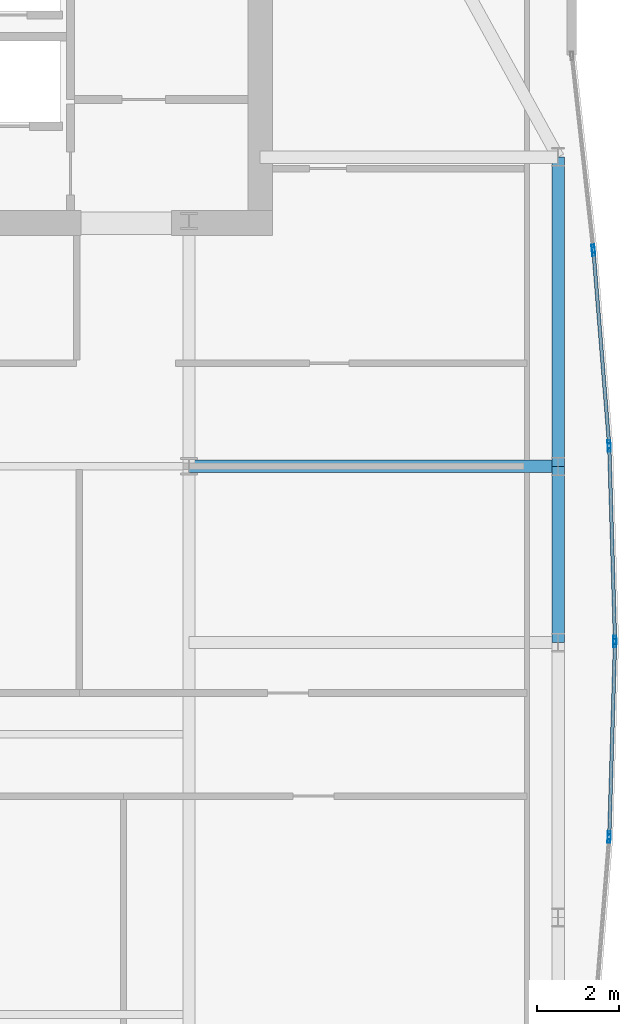
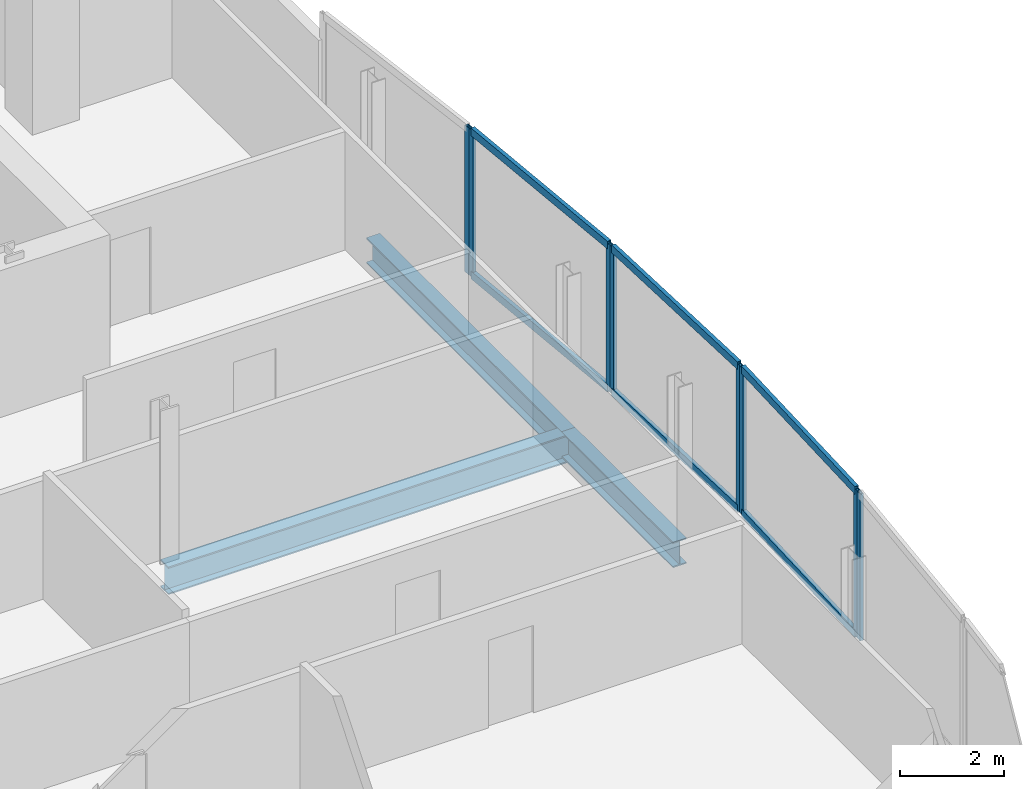
# One storey, part 18 of 29: 14 members, 3 beams, 5 elements without a shape of their own.
"""IFC4 building model written with IfcOpenShell, lengths in metres."""

from ifc_helpers import new_model, si_unit, direction, frame, origin, origin_2d, place, context, subcontext, project, spatial, hollow_rectangle, i_section, extrude, material, material_profile, profile_set, type_object, element, aggregate, save


model = new_model("IFC4")

# Units and contexts
model_context = context("Model", 3, precision=1e-05, world=origin(), true_north=direction((0.0, 1.0)))
body_context = subcontext(model_context, "Body", "Model", "MODEL_VIEW")
ifc_project = project(units=[si_unit("LENGTHUNIT", "METRE"), si_unit("AREAUNIT", "SQUARE_METRE"), si_unit("VOLUMEUNIT", "CUBIC_METRE"), si_unit("PLANEANGLEUNIT", "RADIAN"), si_unit("MASSUNIT", "GRAM", prefix="KILO")], contexts=[model_context])

# Site, building, storey
site_placement = place(None, origin())
site = spatial("IfcSite", under=ifc_project, at=site_placement, CompositionType="ELEMENT")
building_placement = place(site_placement, origin())
building = spatial("IfcBuilding", under=site, at=building_placement, Name="Khoronbel Lancet Exchange", CompositionType="ELEMENT")
storey_placement = place(building_placement, frame((0.0, 0.0, 242.60009765625)))
storey = spatial("IfcBuildingStorey", under=building, at=storey_placement, Name="L62", CompositionType="ELEMENT", Elevation=242.60009765625)

# Beams
ifc_material_1 = material(Name="Steel S355", Category="steel")
ifc_material_profile_1 = material_profile(ifc_material_1, i_section(OverallWidth=0.300048828125, OverallDepth=0.64990234375, WebThickness=0.01611328125, FlangeThickness=0.031005859375, at=origin_2d()), Name="HEB 650")
ifc_profile_set_1 = profile_set([ifc_material_profile_1], Name="Steel S355")
beam_type_1 = type_object("IfcBeamType", Name="BM-BG4", PredefinedType="BEAM", material=ifc_profile_set_1)
beam_1_placement = place(storey_placement, frame((54.675048828125, 35.699951171875, -0.485107421875), z_axis=(1.0, 0.0, 0.0), x_axis=(0.0, 1.0, 0.0)))
element("IfcBeam", 1, at=beam_1_placement, inside=storey, type_object=beam_type_1, Name="Level L62 east lens tie girder LG4E", PredefinedType="BEAM", context=body_context, shape_type="SweptSolid", body=[
    extrude(i_section(OverallWidth=0.300048828125, OverallDepth=0.64990234375, WebThickness=0.01611328125, FlangeThickness=0.031005859375, at=origin_2d()), origin(), (0.0, 0.0, 1.0), 8.954833984375),
])
ifc_material_profile_2 = material_profile(ifc_material_1, i_section(OverallWidth=0.300048828125, OverallDepth=0.60009765625, WebThickness=0.015380859375, FlangeThickness=0.030029296875, at=origin_2d()), Name="HEB 600")
ifc_profile_set_2 = profile_set([ifc_material_profile_2], Name="Steel S355")
beam_type_2 = type_object("IfcBeamType", Name="BM-BSP2", PredefinedType="SPANDREL", material=ifc_profile_set_2)
beam_2_placement = place(storey_placement, frame((63.6298828125, 31.425048828125, -0.460205078125), z_axis=(0.0, 1.0, 0.0), x_axis=(-1.0, 0.0, 0.0)))
element("IfcBeam", 2, at=beam_2_placement, inside=storey, type_object=beam_type_2, Name="Level L62 perimeter spandrel beam SP13", PredefinedType="SPANDREL", context=body_context, shape_type="SweptSolid", body=[
    extrude(i_section(OverallWidth=0.300048828125, OverallDepth=0.60009765625, WebThickness=0.015380859375, FlangeThickness=0.030029296875, at=origin_2d()), origin(), (0.0, 0.0, 1.0), 4.27490234375),
])
beam_3_placement = place(storey_placement, frame((63.6298828125, 35.699951171875, -0.460205078125), z_axis=(0.0, 1.0, 0.0), x_axis=(-1.0, 0.0, 0.0)))
element("IfcBeam", 3, at=beam_3_placement, inside=storey, type_object=beam_type_2, Name="Level L62 perimeter spandrel beam SP14", PredefinedType="SPANDREL", context=body_context, shape_type="SweptSolid", body=[
    extrude(i_section(OverallWidth=0.300048828125, OverallDepth=0.60009765625, WebThickness=0.015380859375, FlangeThickness=0.030029296875, at=origin_2d()), origin(), (0.0, 0.0, 1.0), 7.5),
])

# Curtain wall, member
ifc_material_2 = material(Name="Low-E Solar Control Insulating Glass", Category="glass")
curtain_wall_type = type_object("IfcCurtainWallType", Name="CW-4", PredefinedType="NOTDEFINED", material=ifc_material_2)
curtain_wall_1_placement = place(storey_placement, origin())
curtain_wall_1 = element("IfcCurtainWall", 4, at=curtain_wall_1_placement, inside=storey, type_object=curtain_wall_type, Name="Unitised curtain wall CW-L62-E17", PredefinedType="NOTDEFINED")
ifc_material_3 = material(Name="Bronze-Anodised Aluminium 6063-T6", Category="aluminium")
ifc_material_profile_3 = material_profile(ifc_material_3, hollow_rectangle(XDim=0.074951171875, YDim=0.199951171875, WallThickness=0.0048828125, at=origin_2d()), Name="ALU MULLION 75x200")
ifc_profile_set_3 = profile_set([ifc_material_profile_3], Name="Bronze-Anodised Aluminium 6063-T6")
member_type_1 = type_object("IfcMemberType", Name="MEM-CWM2", PredefinedType="MULLION", material=ifc_profile_set_3)
member_1_placement = place(storey_placement, frame((64.481201171875, 40.978759765625, 0.0), z_axis=(0.0, 0.0, 1.0), x_axis=(0.993947317123, 0.109857775256, 0.0)))
member_1 = element("IfcMember", 5, at=member_1_placement, type_object=member_type_1, Name="CW4 mullion 2", PredefinedType="MULLION", context=body_context, shape_type="SweptSolid", body=[
    extrude(hollow_rectangle(XDim=0.074951171875, YDim=0.199951171875, WallThickness=0.0048828125, at=origin_2d()), origin(), (0.0, 0.0, 1.0), 3.43994140625),
])
aggregate(curtain_wall_1, [member_1])

# Curtain wall, members
curtain_wall_2_placement = place(storey_placement, origin())
curtain_wall_2 = element("IfcCurtainWall", 6, at=curtain_wall_2_placement, inside=storey, type_object=curtain_wall_type, Name="Unitised curtain wall CW-L62-E18", PredefinedType="NOTDEFINED")
member_2_placement = place(storey_placement, frame((64.488525390625, 40.904052734375, 0.0), z_axis=(0.0, 0.0, 1.0), x_axis=(0.996743296731, 0.080639943095, 0.0)))
member_2 = element("IfcMember", 7, at=member_2_placement, type_object=member_type_1, Name="CW4 mullion 1", PredefinedType="MULLION", context=body_context, shape_type="SweptSolid", body=[
    extrude(hollow_rectangle(XDim=0.074951171875, YDim=0.199951171875, WallThickness=0.0048828125, at=origin_2d()), origin(), (0.0, 0.0, 1.0), 3.43994140625),
])
member_3_placement = place(storey_placement, frame((64.866455078125, 36.232421875, 0.0), z_axis=(0.0, 0.0, 1.0), x_axis=(0.996743296731, 0.080639943095, 0.0)))
member_3 = element("IfcMember", 8, at=member_3_placement, type_object=member_type_1, Name="CW4 mullion 2", PredefinedType="MULLION", context=body_context, shape_type="SweptSolid", body=[
    extrude(hollow_rectangle(XDim=0.074951171875, YDim=0.199951171875, WallThickness=0.0048828125, at=origin_2d()), origin(), (0.0, 0.0, 1.0), 3.43994140625),
])

curtain_wall_3_placement = place(storey_placement, origin())
curtain_wall_3 = element("IfcCurtainWall", 9, at=curtain_wall_3_placement, inside=storey, type_object=curtain_wall_type, Name="Unitised curtain wall CW-L62-E19", PredefinedType="NOTDEFINED")
member_4_placement = place(storey_placement, frame((64.87060546875, 36.157470703125, 0.0), z_axis=(0.0, 0.0, 1.0), x_axis=(0.999561285143, 0.029618191076, 0.0)))
member_4 = element("IfcMember", 10, at=member_4_placement, type_object=member_type_1, Name="CW4 mullion 1", PredefinedType="MULLION", context=body_context, shape_type="SweptSolid", body=[
    extrude(hollow_rectangle(XDim=0.074951171875, YDim=0.199951171875, WallThickness=0.0048828125, at=origin_2d()), origin(), (0.0, 0.0, 1.0), 3.43994140625),
])
member_5_placement = place(storey_placement, frame((65.0087890625, 31.487548828125, 0.0), z_axis=(0.0, 0.0, 1.0), x_axis=(0.999561285143, 0.029618191076, 0.0)))
member_5 = element("IfcMember", 11, at=member_5_placement, type_object=member_type_1, Name="CW4 mullion 2", PredefinedType="MULLION", context=body_context, shape_type="SweptSolid", body=[
    extrude(hollow_rectangle(XDim=0.074951171875, YDim=0.199951171875, WallThickness=0.0048828125, at=origin_2d()), origin(), (0.0, 0.0, 1.0), 3.43994140625),
])

curtain_wall_4_placement = place(storey_placement, origin())
curtain_wall_4 = element("IfcCurtainWall", 12, at=curtain_wall_4_placement, inside=storey, type_object=curtain_wall_type, Name="Unitised curtain wall CW-L62-E20", PredefinedType="NOTDEFINED")
member_6_placement = place(storey_placement, frame((65.0087890625, 31.41259765625, 0.0), z_axis=(0.0, 0.0, 1.0), x_axis=(0.999561285143, -0.029618191076, 0.0)))
member_6 = element("IfcMember", 13, at=member_6_placement, type_object=member_type_1, Name="CW4 mullion 1", PredefinedType="MULLION", context=body_context, shape_type="SweptSolid", body=[
    extrude(hollow_rectangle(XDim=0.074951171875, YDim=0.199951171875, WallThickness=0.0048828125, at=origin_2d()), origin(), (0.0, 0.0, 1.0), 3.43994140625),
])
member_7_placement = place(storey_placement, frame((64.87060546875, 26.742431640625, 0.0), z_axis=(0.0, 0.0, 1.0), x_axis=(0.999561285143, -0.029618191076, 0.0)))
member_7 = element("IfcMember", 14, at=member_7_placement, type_object=member_type_1, Name="CW4 mullion 2", PredefinedType="MULLION", context=body_context, shape_type="SweptSolid", body=[
    extrude(hollow_rectangle(XDim=0.074951171875, YDim=0.199951171875, WallThickness=0.0048828125, at=origin_2d()), origin(), (0.0, 0.0, 1.0), 3.43994140625),
])

# Curtain wall, member
curtain_wall_5_placement = place(storey_placement, origin())
curtain_wall_5 = element("IfcCurtainWall", 15, at=curtain_wall_5_placement, inside=storey, type_object=curtain_wall_type, Name="Unitised curtain wall CW-L62-E21", PredefinedType="NOTDEFINED")
member_8_placement = place(storey_placement, frame((64.866455078125, 26.667724609375, 0.0), z_axis=(0.0, 0.0, 1.0), x_axis=(0.996743296731, -0.080639943095, 0.0)))
member_8 = element("IfcMember", 16, at=member_8_placement, type_object=member_type_1, Name="CW4 mullion 1", PredefinedType="MULLION", context=body_context, shape_type="SweptSolid", body=[
    extrude(hollow_rectangle(XDim=0.074951171875, YDim=0.199951171875, WallThickness=0.0048828125, at=origin_2d()), origin(), (0.0, 0.0, 1.0), 3.43994140625),
])
aggregate(curtain_wall_5, [member_8])

# Member
ifc_material_profile_4 = material_profile(ifc_material_3, hollow_rectangle(XDim=0.0849609375, YDim=0.179931640625, WallThickness=0.0048828125, at=origin_2d()), Name="ALU TRANSOM 85x180")
ifc_profile_set_4 = profile_set([ifc_material_profile_4], Name="Bronze-Anodised Aluminium 6063-T6")
member_type_2 = type_object("IfcMemberType", Name="MEM-CWT1", PredefinedType="USERDEFINED", material=ifc_profile_set_4)
member_9_placement = place(storey_placement, frame((64.491455078125, 40.86669921875, 0.04248046875), z_axis=(0.080622560017, -0.996744702929, 0.0), x_axis=(0.996744702929, 0.080622560017, 0.0)))
member_9 = element("IfcMember", 17, at=member_9_placement, type_object=member_type_2, Name="CW4 transom 1.1", ObjectType="TRANSOM", PredefinedType="USERDEFINED", context=body_context, shape_type="SweptSolid", body=[
    extrude(hollow_rectangle(XDim=0.0849609375, YDim=0.179931640625, WallThickness=0.0048828125, at=origin_2d()), origin(), (0.0, 0.0, 1.0), 4.61181640625),
])

member_10_placement = place(storey_placement, frame((64.491455078125, 40.86669921875, 3.3974609375), z_axis=(0.080622560017, -0.996744702929, 0.0), x_axis=(0.996744702929, 0.080622560017, 0.0)))
member_10 = element("IfcMember", 18, at=member_10_placement, type_object=member_type_2, Name="CW4 transom 1.2", ObjectType="TRANSOM", PredefinedType="USERDEFINED", context=body_context, shape_type="SweptSolid", body=[
    extrude(hollow_rectangle(XDim=0.0849609375, YDim=0.179931640625, WallThickness=0.0048828125, at=origin_2d()), origin(), (0.0, 0.0, 1.0), 4.61181640625),
])

aggregate(curtain_wall_2, [member_2, member_3, member_9, member_10])

member_11_placement = place(storey_placement, frame((64.87158203125, 36.1201171875, 0.04248046875), z_axis=(0.029633139405, -0.999560842095, 0.0), x_axis=(0.999560842095, 0.029633139405, 0.0)))
member_11 = element("IfcMember", 19, at=member_11_placement, type_object=member_type_2, Name="CW4 transom 1.1", ObjectType="TRANSOM", PredefinedType="USERDEFINED", context=body_context, shape_type="SweptSolid", body=[
    extrude(hollow_rectangle(XDim=0.0849609375, YDim=0.179931640625, WallThickness=0.0048828125, at=origin_2d()), origin(), (0.0, 0.0, 1.0), 4.59716796875),
])

member_12_placement = place(storey_placement, frame((64.87158203125, 36.1201171875, 3.3974609375), z_axis=(0.029633139405, -0.999560842095, 0.0), x_axis=(0.999560842095, 0.029633139405, 0.0)))
member_12 = element("IfcMember", 20, at=member_12_placement, type_object=member_type_2, Name="CW4 transom 1.2", ObjectType="TRANSOM", PredefinedType="USERDEFINED", context=body_context, shape_type="SweptSolid", body=[
    extrude(hollow_rectangle(XDim=0.0849609375, YDim=0.179931640625, WallThickness=0.0048828125, at=origin_2d()), origin(), (0.0, 0.0, 1.0), 4.59716796875),
])

aggregate(curtain_wall_3, [member_4, member_5, member_11, member_12])

member_13_placement = place(storey_placement, frame((65.0078125, 31.375, 0.04248046875), z_axis=(-0.029634712495, -0.999560795457, 0.0), x_axis=(0.999560795457, -0.029634712495, 0.0)))
member_13 = element("IfcMember", 21, at=member_13_placement, type_object=member_type_2, Name="CW4 transom 1.1", ObjectType="TRANSOM", PredefinedType="USERDEFINED", context=body_context, shape_type="SweptSolid", body=[
    extrude(hollow_rectangle(XDim=0.0849609375, YDim=0.179931640625, WallThickness=0.0048828125, at=origin_2d()), origin(), (0.0, 0.0, 1.0), 4.596923828125),
])

member_14_placement = place(storey_placement, frame((65.0078125, 31.375, 3.3974609375), z_axis=(-0.029634712495, -0.999560795457, 0.0), x_axis=(0.999560795457, -0.029634712495, 0.0)))
member_14 = element("IfcMember", 22, at=member_14_placement, type_object=member_type_2, Name="CW4 transom 1.2", ObjectType="TRANSOM", PredefinedType="USERDEFINED", context=body_context, shape_type="SweptSolid", body=[
    extrude(hollow_rectangle(XDim=0.0849609375, YDim=0.179931640625, WallThickness=0.0048828125, at=origin_2d()), origin(), (0.0, 0.0, 1.0), 4.596923828125),
])

aggregate(curtain_wall_4, [member_6, member_7, member_13, member_14])

save(model, "model.ifc")
